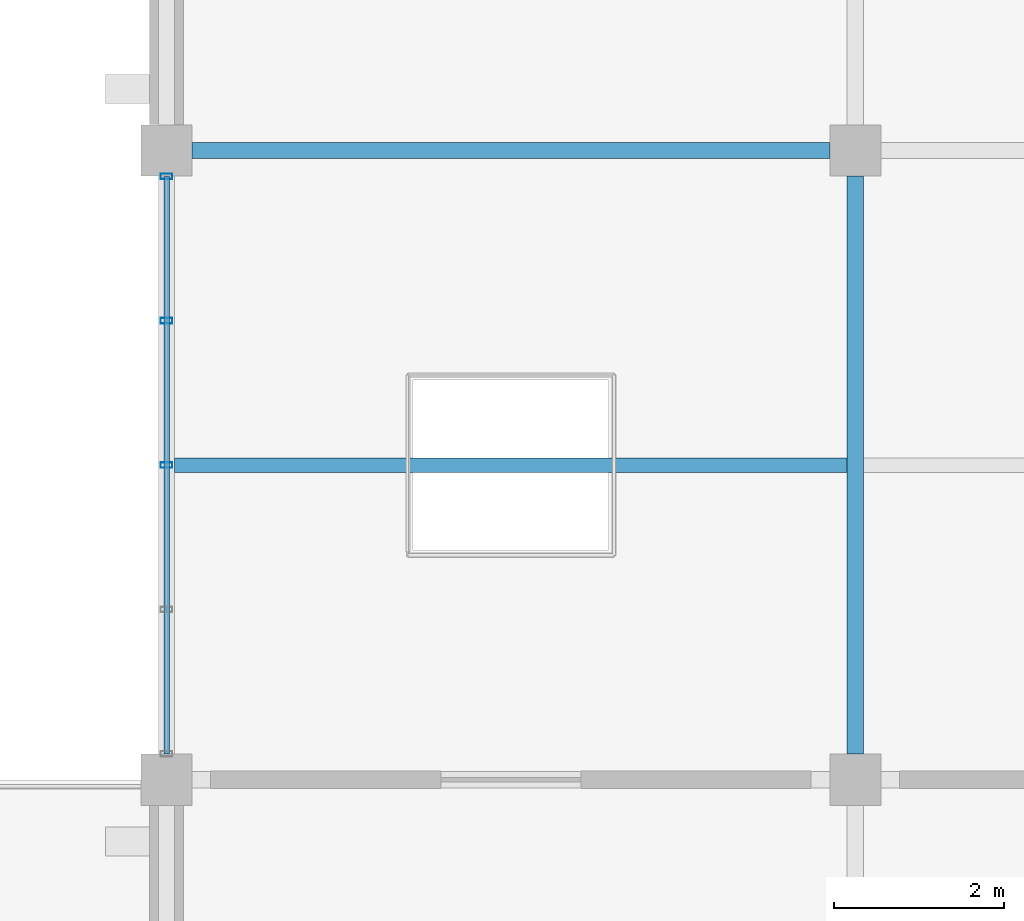
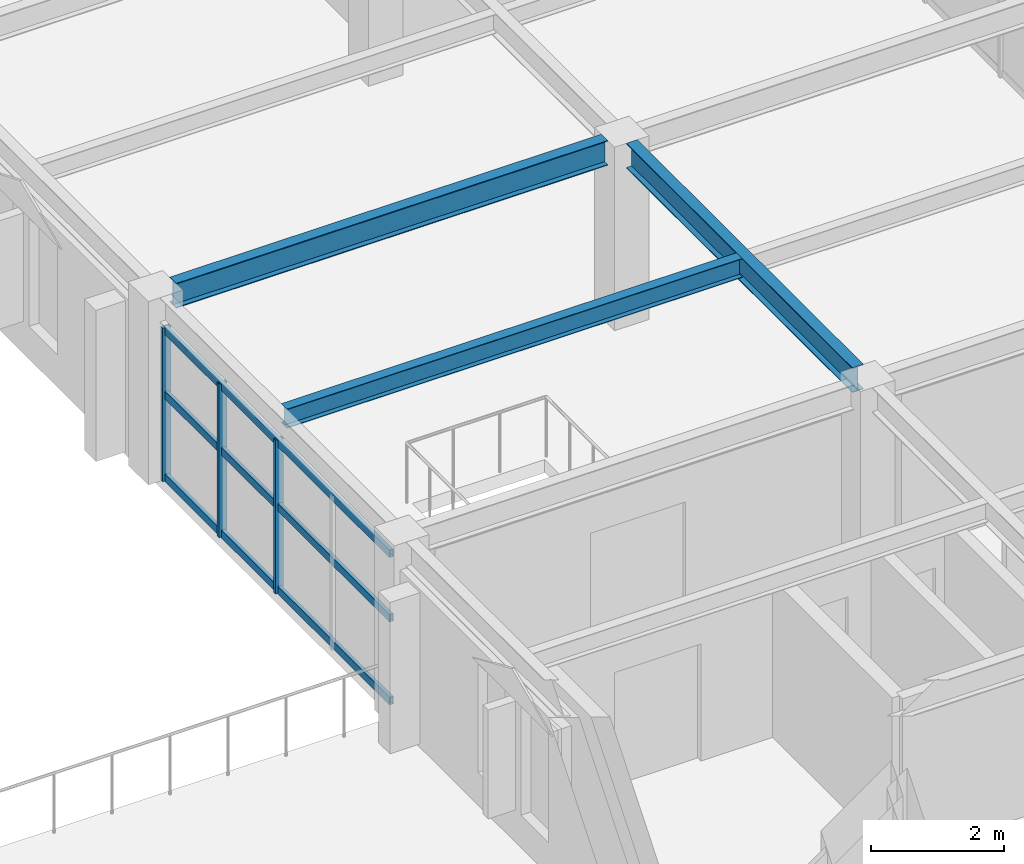
# One storey, part 16 of 121: 6 members, 3 beams, 1 element without a shape of its own.
"""IFC4 building model written with IfcOpenShell, lengths in metres."""

from ifc_helpers import new_model, si_unit, direction, frame, origin, origin_2d, place, context, subcontext, project, spatial, hollow_rectangle, i_section, extrude, material, material_profile, profile_set, type_object, element, aggregate, save


model = new_model("IFC4")

# Units and contexts
model_context = context("Model", 3, precision=1e-05, world=origin(), true_north=direction((0.0, 1.0)))
body_context = subcontext(model_context, "Body", "Model", "MODEL_VIEW")
ifc_project = project(units=[si_unit("LENGTHUNIT", "METRE"), si_unit("AREAUNIT", "SQUARE_METRE"), si_unit("VOLUMEUNIT", "CUBIC_METRE"), si_unit("PLANEANGLEUNIT", "RADIAN"), si_unit("MASSUNIT", "GRAM", prefix="KILO")], contexts=[model_context])

# Site, building, storey
site_placement = place(None, origin())
site = spatial("IfcSite", under=ifc_project, at=site_placement, CompositionType="ELEMENT")
building_placement = place(site_placement, origin())
building = spatial("IfcBuilding", under=site, at=building_placement, Name="Cimatlan Art Gallery", CompositionType="ELEMENT")
storey_placement = place(building_placement, frame((0.0, 0.0, 10.199951171875)))
storey = spatial("IfcBuildingStorey", under=building, at=storey_placement, Name="L02", CompositionType="ELEMENT", Elevation=10.199951171875)

# Beams
ifc_material_1 = material(Name="Steel ASTM A992 Grade 50", Category="steel")
ifc_material_profile_1 = material_profile(ifc_material_1, i_section(OverallWidth=0.1708984375, OverallDepth=0.35107421875, WebThickness=0.0068359375, FlangeThickness=0.009765625, at=origin_2d()), Name="W14X30")
ifc_profile_set_1 = profile_set([ifc_material_profile_1], Name="Steel ASTM A992 Grade 50")
beam_type_1 = type_object("IfcBeamType", Name="BM-STL-W14X30", PredefinedType="JOIST", material=ifc_profile_set_1)
beam_1_placement = place(storey_placement, frame((34.49560546875, 42.39990234375, 3.194580078125), z_axis=(1.0, 0.0, 0.0), x_axis=(0.0, 1.0, 0.0)))
element("IfcBeam", 1, at=beam_1_placement, inside=storey, type_object=beam_type_1, Name="JST-L02-04-05", PredefinedType="JOIST", context=body_context, shape_type="SweptSolid", body=[
    extrude(i_section(OverallWidth=0.1708984375, OverallDepth=0.35107421875, WebThickness=0.0068359375, FlangeThickness=0.009765625, at=origin_2d()), origin(), (0.0, 0.0, 1.0), 7.908935546875),
])
ifc_material_profile_2 = material_profile(ifc_material_1, i_section(OverallWidth=0.19091796875, OverallDepth=0.45703125, WebThickness=0.009033203125, FlangeThickness=0.014404296875, at=origin_2d()), Name="W18X50")
ifc_profile_set_2 = profile_set([ifc_material_profile_2], Name="Steel ASTM A992 Grade 50")
beam_type_2 = type_object("IfcBeamType", Name="BM-STL-W18X50", PredefinedType="BEAM", material=ifc_profile_set_2)
beam_2_placement = place(storey_placement, frame((42.5, 39.0, 3.1416015625), z_axis=(0.0, 1.0, 0.0), x_axis=(-1.0, 0.0, 0.0)))
element("IfcBeam", 2, at=beam_2_placement, inside=storey, type_object=beam_type_2, Name="BM-Y-L02-05-05", PredefinedType="BEAM", context=body_context, shape_type="SweptSolid", body=[
    extrude(i_section(OverallWidth=0.19091796875, OverallDepth=0.45703125, WebThickness=0.009033203125, FlangeThickness=0.014404296875, at=origin_2d()), origin(), (0.0, 0.0, 1.0), 6.800048828125),
])
beam_3_placement = place(storey_placement, frame((34.699951171875, 46.10009765625, 3.1416015625), z_axis=(1.0, 0.0, 0.0), x_axis=(0.0, 1.0, 0.0)))
element("IfcBeam", 3, at=beam_3_placement, inside=storey, type_object=beam_type_2, Name="BM-X-L02-04-06", PredefinedType="BEAM", context=body_context, shape_type="SweptSolid", body=[
    extrude(i_section(OverallWidth=0.19091796875, OverallDepth=0.45703125, WebThickness=0.009033203125, FlangeThickness=0.014404296875, at=origin_2d()), origin(), (0.0, 0.0, 1.0), 7.5),
])

# Curtain wall, members
ifc_material_2 = material(Name="Anodised bronze unitised curtain wall")
curtain_wall_type = type_object("IfcCurtainWallType", Name="CW-V-06792X02823-B4", PredefinedType="NOTDEFINED", material=ifc_material_2)
curtain_wall_placement = place(storey_placement, origin())
curtain_wall = element("IfcCurtainWall", 4, at=curtain_wall_placement, inside=storey, type_object=curtain_wall_type, Name="CW-L02-04-05-W", PredefinedType="NOTDEFINED")
ifc_material_3 = material(Name="Anodised bronze aluminium 6063-T6", Category="aluminium")
ifc_material_profile_3 = material_profile(ifc_material_3, hollow_rectangle(XDim=0.06494140625, YDim=0.139892578125, WallThickness=0.00390625, at=origin_2d()), Name="ALU65X140X4")
ifc_profile_set_3 = profile_set([ifc_material_profile_3], Name="Anodised bronze aluminium 6063-T6")
member_type_1 = type_object("IfcMemberType", Name="CW-MUL-140", PredefinedType="MULLION", material=ifc_profile_set_3)
member_1_placement = place(storey_placement, frame((34.39990234375, 42.39990234375, 0.0), z_axis=(0.0, 0.0, 1.0), x_axis=(0.0, 1.0, 0.0)))
member_1 = element("IfcMember", 5, at=member_1_placement, type_object=member_type_1, Name="CW-L02-04-05-W-M3", PredefinedType="MULLION", context=body_context, shape_type="SweptSolid", body=[
    extrude(hollow_rectangle(XDim=0.06494140625, YDim=0.139892578125, WallThickness=0.00390625, at=origin_2d()), origin(), (0.0, 0.0, 1.0), 2.822998046875),
])
member_2_placement = place(storey_placement, frame((34.39990234375, 44.097900390625, 0.0), z_axis=(0.0, 0.0, 1.0), x_axis=(0.0, 1.0, 0.0)))
member_2 = element("IfcMember", 6, at=member_2_placement, type_object=member_type_1, Name="CW-L02-04-05-W-M4", PredefinedType="MULLION", context=body_context, shape_type="SweptSolid", body=[
    extrude(hollow_rectangle(XDim=0.06494140625, YDim=0.139892578125, WallThickness=0.00390625, at=origin_2d()), origin(), (0.0, 0.0, 1.0), 2.822998046875),
])
member_3_placement = place(storey_placement, frame((34.39990234375, 45.7958984375, 0.0), z_axis=(0.0, 0.0, 1.0), x_axis=(0.0, 1.0, 0.0)))
member_3 = element("IfcMember", 7, at=member_3_placement, type_object=member_type_1, Name="CW-L02-04-05-W-M5", PredefinedType="MULLION", context=body_context, shape_type="SweptSolid", body=[
    extrude(hollow_rectangle(XDim=0.06494140625, YDim=0.139892578125, WallThickness=0.00390625, at=origin_2d()), origin(), (0.0, 0.0, 1.0), 2.822998046875),
])
ifc_material_profile_4 = material_profile(ifc_material_3, hollow_rectangle(XDim=0.06494140625, YDim=0.139892578125, WallThickness=0.00390625, at=origin_2d()), Name="ALU65X140X4")
ifc_profile_set_4 = profile_set([ifc_material_profile_4], Name="Anodised bronze aluminium 6063-T6")
member_type_2 = type_object("IfcMemberType", Name="CW-TRN-140", PredefinedType="USERDEFINED", material=ifc_profile_set_4)
member_4_placement = place(storey_placement, frame((34.39990234375, 39.00390625, 0.06005859375), z_axis=(0.0, 1.0, 0.0), x_axis=(-1.0, 0.0, 0.0)))
member_4 = element("IfcMember", 8, at=member_4_placement, type_object=member_type_2, Name="CW-L02-04-05-W-T1", ObjectType="TRANSOM", PredefinedType="USERDEFINED", context=body_context, shape_type="SweptSolid", body=[
    extrude(hollow_rectangle(XDim=0.06494140625, YDim=0.139892578125, WallThickness=0.00390625, at=origin_2d()), origin(), (0.0, 0.0, 1.0), 6.7919921875),
])
member_5_placement = place(storey_placement, frame((34.39990234375, 39.00390625, 1.5810546875), z_axis=(0.0, 1.0, 0.0), x_axis=(-1.0, 0.0, 0.0)))
member_5 = element("IfcMember", 9, at=member_5_placement, type_object=member_type_2, Name="CW-L02-04-05-W-T2", ObjectType="TRANSOM", PredefinedType="USERDEFINED", context=body_context, shape_type="SweptSolid", body=[
    extrude(hollow_rectangle(XDim=0.06494140625, YDim=0.139892578125, WallThickness=0.00390625, at=origin_2d()), origin(), (0.0, 0.0, 1.0), 6.7919921875),
])
member_6_placement = place(storey_placement, frame((34.39990234375, 39.00390625, 2.762939453125), z_axis=(0.0, 1.0, 0.0), x_axis=(-1.0, 0.0, 0.0)))
member_6 = element("IfcMember", 10, at=member_6_placement, type_object=member_type_2, Name="CW-L02-04-05-W-T3", ObjectType="TRANSOM", PredefinedType="USERDEFINED", context=body_context, shape_type="SweptSolid", body=[
    extrude(hollow_rectangle(XDim=0.06494140625, YDim=0.139892578125, WallThickness=0.00390625, at=origin_2d()), origin(), (0.0, 0.0, 1.0), 6.7919921875),
])
aggregate(curtain_wall, [member_1, member_2, member_3, member_4, member_5, member_6])

save(model, "model.ifc")
